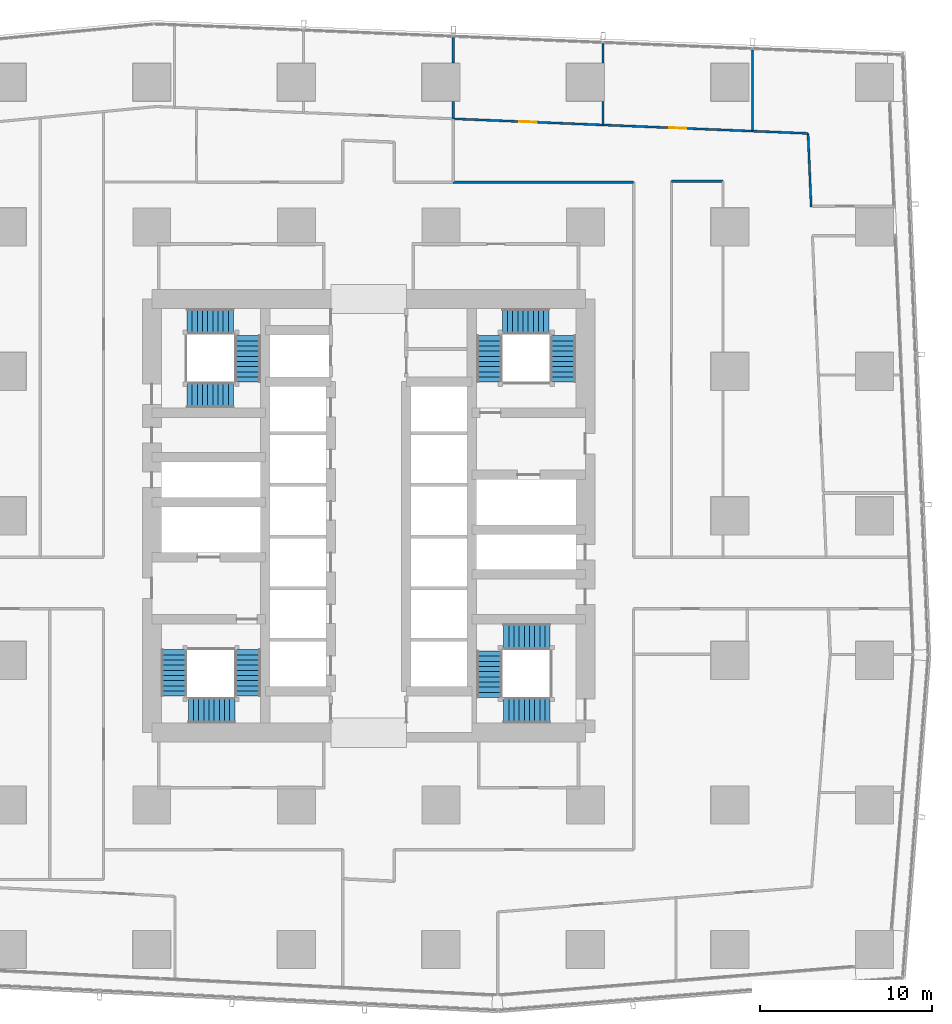
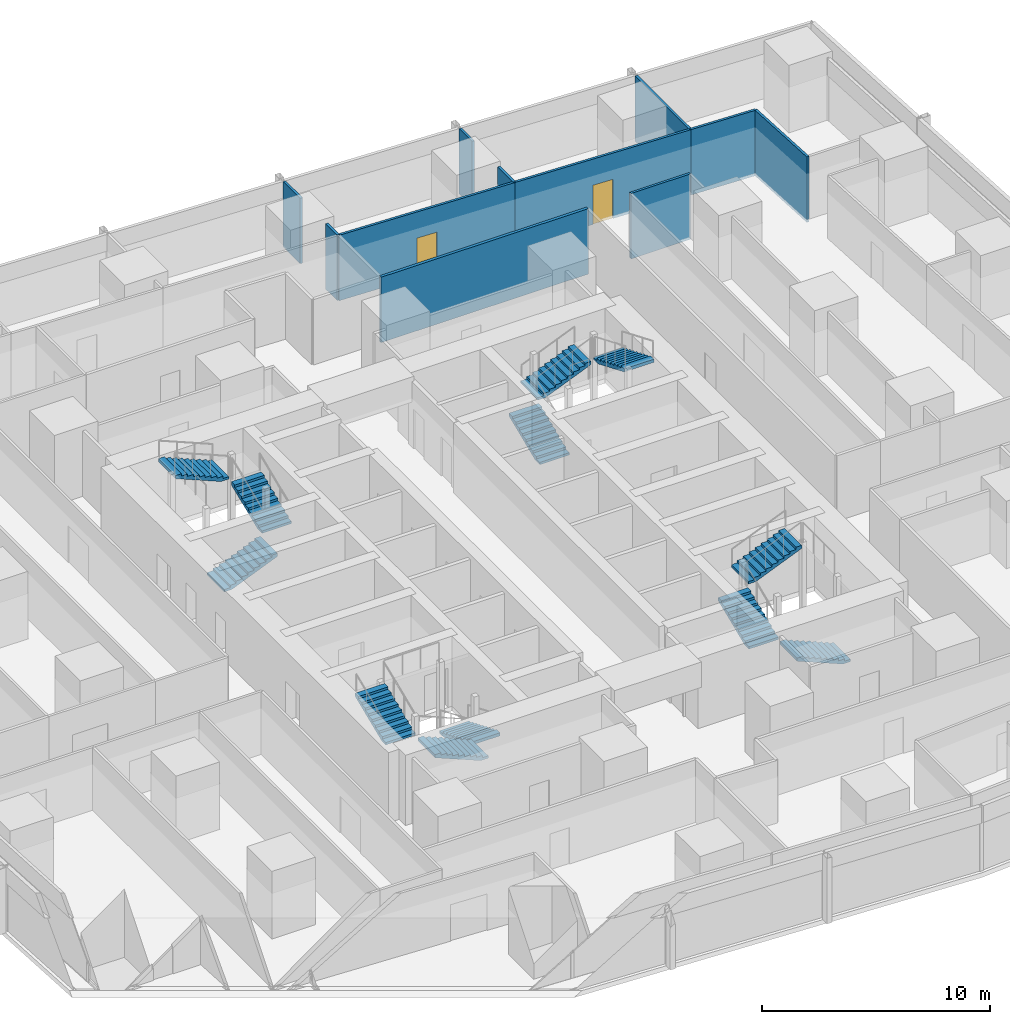
# One storey, part 35 of 44: 12 stair flights, 11 walls, 2 doors, 2 openings, 4 elements without a shape of their own.
"""IFC4 building model written with IfcOpenShell, lengths in metres."""

import ifcopenshell
import ifcopenshell.guid

model = None  # the IFC model being written
_history = None  # IfcOwnerHistory: only IFC2X3 demands one
_inside = {}  # id of a spatial element -> (the spatial element, [elements in it])
_under = {}  # id of a project, library or spatial element -> (it, [spatial elements below it])
_declared = {}  # id of a project -> (the project, [libraries it declares])
_typed = {}  # id of a type object -> (the type object, [elements of that type])
_made_of = {}  # id of a material, layer set ... -> (it, [elements and type objects made of it])


def new_model(schema):
    """Start an empty IFC model of exactly this schema.

    Asked for "IFC4X3", IfcOpenShell would pick the latest addendum, in which some entities
    have other attributes; the version numbers below select the first issue.
    IFC2X3 requires an IfcOwnerHistory on every rooted entity: one is made here for all.
    """
    global model, _history
    if schema == "IFC4X3":
        model = ifcopenshell.file(schema_version=(4, 3, 0, 0))
    else:
        model = ifcopenshell.file(schema=schema)
    _inside.clear()
    _under.clear()
    _declared.clear()
    _typed.clear()
    _made_of.clear()
    _history = None
    if model.schema == "IFC2X3":
        org = make("IfcOrganization", Name="unknown")
        user = make(
            "IfcPersonAndOrganization",
            ThePerson=make("IfcPerson", FamilyName="unknown"),
            TheOrganization=org,
        )
        app = make(
            "IfcApplication",
            ApplicationDeveloper=org,
            Version="unknown",
            ApplicationFullName="unknown",
            ApplicationIdentifier="unknown",
        )
        _history = make(
            "IfcOwnerHistory",
            OwningUser=user,
            OwningApplication=app,
            ChangeAction="ADDED",
            CreationDate=0,
        )
    return model


def make(cls, **values):
    """One entity of the class cls with the attributes given. An attribute that is None is left unset."""
    return model.create_entity(
        cls, **{name: value for name, value in values.items() if value is not None}
    )


def rooted(cls, **values):
    """An entity with a GlobalId (a new one), such as an element, a storey or a relation."""
    return make(cls, GlobalId=ifcopenshell.guid.new(), OwnerHistory=_history, **values)


def si_unit(unit_type, name, prefix=None):
    """IfcSIUnit, for example si_unit("LENGTHUNIT", "METRE", prefix="MILLI")."""
    return make("IfcSIUnit", UnitType=unit_type, Prefix=prefix, Name=name)


def assignment(units):
    """IfcUnitAssignment: the units of a project."""
    return None if units is None else make("IfcUnitAssignment", Units=units)


def point(xyz):
    """IfcCartesianPoint."""
    return None if xyz is None else make("IfcCartesianPoint", Coordinates=xyz)


def direction(xyz):
    """IfcDirection."""
    return None if xyz is None else make("IfcDirection", DirectionRatios=xyz)


def frame(location, z_axis=None, x_axis=None):
    """IfcAxis2Placement3D, a coordinate frame: its origin and axes. An axis left out is left unset."""
    return make(
        "IfcAxis2Placement3D",
        Location=point(location),
        Axis=direction(z_axis),
        RefDirection=direction(x_axis),
    )


def frame_2d(location, x_axis=None):
    """IfcAxis2Placement2D, a coordinate frame in the plane: its origin and x axis."""
    return make(
        "IfcAxis2Placement2D", Location=point(location), RefDirection=direction(x_axis)
    )


def origin():
    """The frame at (0, 0, 0) with its axes left unset."""
    return frame((0.0, 0.0, 0.0))


def place(relative_to, where):
    """IfcLocalPlacement: puts the frame where relative to a parent placement (None: the world)."""
    return make(
        "IfcLocalPlacement", PlacementRelTo=relative_to, RelativePlacement=where
    )


def context(
    kind, dimensions, precision=None, world=None, true_north=None, identifier=None
):
    """IfcGeometricRepresentationContext, for example the 3D "Model" context."""
    return make(
        "IfcGeometricRepresentationContext",
        ContextIdentifier=identifier,
        ContextType=kind,
        CoordinateSpaceDimension=dimensions,
        Precision=precision,
        WorldCoordinateSystem=world,
        TrueNorth=true_north,
    )


def subcontext(parent, identifier, kind, view, scale=None):
    """IfcGeometricRepresentationSubContext, for example "Body" below "Model"."""
    return make(
        "IfcGeometricRepresentationSubContext",
        ContextIdentifier=identifier,
        ContextType=kind,
        ParentContext=parent,
        TargetScale=scale,
        TargetView=view,
    )


def project(units=None, contexts=None):
    """IfcProject with its units and contexts."""
    return rooted(
        "IfcProject",
        Name="project",
        RepresentationContexts=contexts,
        UnitsInContext=assignment(units),
    )


def spatial(cls, under=None, at=None, **own):
    """A site, building, storey or space (cls), placed at a placement, below another one or the project."""
    s = rooted(cls, ObjectPlacement=at, **own)
    if under is not None:
        _under.setdefault(under.id(), (under, []))[1].append(s)
    return s


def polyline(points):
    """IfcPolyline through the points."""
    return make("IfcPolyline", Points=[point(p) for p in points])


def profile(cls, at=None, kind="AREA", **sizes):
    """A parametric profile (cls). Its sizes go by their IFC names, for example OverallWidth=200.0."""
    return make(cls, ProfileType=kind, Position=at, **sizes)


def rectangle(**sizes):
    """IfcRectangleProfileDef."""
    return profile("IfcRectangleProfileDef", **sizes)


def outline(outer, holes=None, kind="AREA"):
    """IfcArbitraryClosedProfileDef: a profile drawn as a closed curve; with holes, ...WithVoids."""
    if holes is None:
        return make("IfcArbitraryClosedProfileDef", ProfileType=kind, OuterCurve=outer)
    return make(
        "IfcArbitraryProfileDefWithVoids",
        ProfileType=kind,
        OuterCurve=outer,
        InnerCurves=holes,
    )


def extrude(swept, where, along, depth):
    """IfcExtrudedAreaSolid: the profile swept, set in the frame where, extruded along a direction by depth."""
    return make(
        "IfcExtrudedAreaSolid",
        SweptArea=swept,
        Position=where,
        ExtrudedDirection=direction(along),
        Depth=depth,
    )


def shape(context_of_items, identifier, shape_type, items):
    """IfcShapeRepresentation: the items that make up one representation, for example the "Body"."""
    return make(
        "IfcShapeRepresentation",
        ContextOfItems=context_of_items,
        RepresentationIdentifier=identifier,
        RepresentationType=shape_type,
        Items=items,
    )


def material(Name=None, Category=None):
    """IfcMaterial."""
    return make("IfcMaterial", Name=Name, Category=Category)


def layer(
    of_material, thickness, ventilated=None, Name=None, Category=None, Priority=None
):
    """IfcMaterialLayer: one layer of a wall or slab, of a material (None: an air gap)."""
    return make(
        "IfcMaterialLayer",
        Material=of_material,
        LayerThickness=thickness,
        IsVentilated=ventilated,
        Name=Name,
        Category=Category,
        Priority=Priority,
    )


def layer_set(layers, Name=None):
    """IfcMaterialLayerSet."""
    return make("IfcMaterialLayerSet", MaterialLayers=layers, LayerSetName=Name)


def made_of(thing, what):
    """Note that an element or type object is made of a material, layer set ...; save() writes the relation."""
    if what is not None:
        _made_of.setdefault(what.id(), (what, []))[1].append(thing)
    return thing


def type_object(cls, material=None, **own):
    """A type object (cls), such as IfcWallType, which elements share."""
    return made_of(rooted(cls, **own), material)


def element(
    cls,
    number,
    at=None,
    inside=None,
    cuts=None,
    type_object=None,
    material=None,
    context=None,
    identifier="Body",
    shape_type=None,
    held_by="IfcProductDefinitionShape",
    body=None,
    shapes=None,
    **own,
):
    """One element of the class cls, such as IfcWall. Its Tag is "e" and its number.

    at: its placement. inside: the storey or other place that contains it. cuts: it is an
    opening in that element (IfcRelVoidsElement). A single representation is given by context,
    identifier, shape_type and body (its items); several are given by shapes. held_by: the class
    of the entity that holds the representations. save() writes the other relations.
    """
    e = rooted(cls, Tag="e%d" % number, ObjectPlacement=at, **own)
    if body is not None:
        shapes = [shape(context, identifier, shape_type, body)]
    if shapes is not None:
        e.Representation = make(held_by, Representations=shapes)
    if inside is not None:
        _inside.setdefault(inside.id(), (inside, []))[1].append(e)
    if cuts is not None:
        rooted(
            "IfcRelVoidsElement", RelatingBuildingElement=cuts, RelatedOpeningElement=e
        )
    if type_object is not None:
        _typed.setdefault(type_object.id(), (type_object, []))[1].append(e)
    return made_of(e, material)


def fill(opening, filler):
    """IfcRelFillsElement: the door or window that sits in an opening."""
    return rooted(
        "IfcRelFillsElement",
        RelatingOpeningElement=opening,
        RelatedBuildingElement=filler,
    )


def aggregate(whole, parts):
    """IfcRelAggregates: a whole, such as a stair, and the parts it consists of."""
    return rooted("IfcRelAggregates", RelatingObject=whole, RelatedObjects=parts)


def save(model, path):
    """Write the relations noted so far, then the file.

    IfcRelAggregates (storeys below a building ...), IfcRelContainedInSpatialStructure (elements
    in a storey), IfcRelDefinesByType, IfcRelAssociatesMaterial and IfcRelDeclares: one each for
    every whole, place, type object, material and project.
    """
    for whole, parts in _under.values():
        aggregate(whole, parts)
    for where, things in _inside.values():
        rooted(
            "IfcRelContainedInSpatialStructure",
            RelatedElements=things,
            RelatingStructure=where,
        )
    for kind, things in _typed.values():
        rooted("IfcRelDefinesByType", RelatedObjects=things, RelatingType=kind)
    for what, things in _made_of.values():
        rooted("IfcRelAssociatesMaterial", RelatedObjects=things, RelatingMaterial=what)
    for by, libraries in _declared.values():
        rooted("IfcRelDeclares", RelatingContext=by, RelatedDefinitions=libraries)
    model.write(path)


model = new_model("IFC4")

# Units and contexts
model_context = context("Model", 3, precision=1e-05, world=origin(), true_north=direction((0.0, 1.0)))
body_context = subcontext(model_context, "Body", "Model", "MODEL_VIEW")
ifc_project = project(units=[si_unit("LENGTHUNIT", "METRE"), si_unit("AREAUNIT", "SQUARE_METRE"), si_unit("VOLUMEUNIT", "CUBIC_METRE"), si_unit("PLANEANGLEUNIT", "RADIAN"), si_unit("MASSUNIT", "GRAM", prefix="KILO")], contexts=[model_context])

# Site, building, storey
site_placement = place(None, origin())
site = spatial("IfcSite", under=ifc_project, at=site_placement, CompositionType="ELEMENT")
building_placement = place(site_placement, origin())
building = spatial("IfcBuilding", under=site, at=building_placement, Name="Rekha Terrace Tower", CompositionType="ELEMENT")
storey_placement = place(building_placement, frame((0.0, 0.0, 47.89990234375)))
storey = spatial("IfcBuildingStorey", under=building, at=storey_placement, Name="L11", CompositionType="ELEMENT", Elevation=47.89990234375)

# Walls
ifc_material_1 = material(Name="Concrete block masonry, 1 hour", Category="masonry")
ifc_layer_1 = layer(ifc_material_1, 0.14990234375)
ifc_layer_set_1 = layer_set([ifc_layer_1], Name="Concrete block masonry, 1 hour")
wall_type_1 = type_object("IfcWallType", Name="WP2 150 tenancy partition", PredefinedType="PARTITIONING", material=ifc_layer_set_1)
wall_1_placement = place(storey_placement, frame((53.199951171875, 53.0, 0.0), z_axis=(0.0, 0.0, 1.0), x_axis=(-1.0, 0.0, 0.0)))
element("IfcWall", 1, at=wall_1_placement, inside=storey, type_object=wall_type_1, Name="Partition L11-O3", PredefinedType="PARTITIONING", context=body_context, shape_type="SweptSolid", body=[
    extrude(rectangle(XDim=10.48095703125, YDim=0.14990234375, at=frame_2d((5.240478515625, 0.0))), origin(), (0.0, 0.0, 1.0), 3.5),
])
ifc_material_2 = material(Name="Two layers of fire-rated gypsum board each side on steel studs, acoustic quilt, 1 hour", Category="steel")
ifc_layer_2 = layer(ifc_material_2, 0.125)
ifc_layer_set_2 = layer_set([ifc_layer_2], Name="Two layers of fire-rated gypsum board each side on steel studs, acoustic quilt, 1 hour")
wall_type_2 = type_object("IfcWallType", Name="WP3 125 office partition", PredefinedType="PARTITIONING", material=ifc_layer_set_2)
wall_2_placement = place(storey_placement, frame((60.112060546875, 55.9619140625, 0.0), z_axis=(0.0, 0.0, 1.0), x_axis=(0.0, 1.0, 0.0)))
element("IfcWall", 2, at=wall_2_placement, inside=storey, type_object=wall_type_2, Name="Partition L11-09", PredefinedType="PARTITIONING", context=body_context, shape_type="SweptSolid", body=[
    extrude(rectangle(XDim=4.72412109375, YDim=0.125, at=frame_2d((2.362060546875, 0.0))), origin(), (0.0, 0.0, 1.0), 3.5),
])
wall_3_placement = place(storey_placement, frame((63.52099609375, 51.556884765625, 0.0), z_axis=(0.0, 0.0, 1.0), x_axis=(-0.042535330456, 0.999094963286, 0.0)))
element("IfcWall", 3, at=wall_3_placement, inside=storey, type_object=wall_type_2, Name="Partition L11-09", PredefinedType="PARTITIONING", context=body_context, shape_type="SweptSolid", body=[
    extrude(rectangle(XDim=4.276123046875, YDim=0.125, at=frame_2d((2.13818359375, 0.0))), origin(), (0.0, 0.0, 1.0), 3.5),
])
wall_4_placement = place(storey_placement, frame((63.339111328125, 55.8291015625, 0.0), z_axis=(0.0, 0.0, 1.0), x_axis=(-0.999154166221, 0.04112118826, 0.0)))
element("IfcWall", 4, at=wall_4_placement, inside=storey, type_object=wall_type_2, Name="Partition L11-09", PredefinedType="PARTITIONING", context=body_context, shape_type="SweptSolid", body=[
    extrude(rectangle(XDim=3.229736328125, YDim=0.125, at=frame_2d((1.61474609375, 0.0))), origin(), (0.0, 0.0, 1.0), 3.5),
])

# Wall, opening, door
wall_5_placement = place(storey_placement, frame((60.111083984375, 55.9619140625, 0.0), z_axis=(0.0, 0.0, 1.0), x_axis=(-0.999152748928, 0.041155610913, 0.0)))
wall_5 = element("IfcWall", 5, at=wall_5_placement, inside=storey, type_object=wall_type_2, Name="Partition L11-10", PredefinedType="PARTITIONING", context=body_context, shape_type="SweptSolid", body=[
    extrude(rectangle(XDim=8.702392578125, YDim=0.125, at=frame_2d((4.35107421875, 0.0))), origin(), (0.0, 0.0, 1.0), 3.5),
])
opening_1_placement = place(wall_5_placement, frame((3.85107421875, 0.0, 0.0)))
opening_1 = element("IfcOpeningElement", 6, at=opening_1_placement, cuts=wall_5, Name="Opening D9", PredefinedType="OPENING", context=body_context, shape_type="SweptSolid", body=[
    extrude(rectangle(XDim=1.0, YDim=2.10009765625, at=frame_2d((0.5, 1.050048828125))), frame((0.0, 0.072509765625, 0.0), z_axis=(0.0, -1.0, 0.0), x_axis=(1.0, 0.0, 0.0)), (0.0, 0.0, 1.0), 0.14501953125),
])
ifc_material_3 = material(Name="Timber fire door", Category="wood")
door_type = type_object("IfcDoorType", Name="D9 1000x2100 office door", OperationType="SINGLE_SWING_LEFT", PredefinedType="DOOR", material=ifc_material_3)
door_1_placement = place(opening_1_placement, origin())
door_1 = element("IfcDoor", 7, at=door_1_placement, inside=storey, type_object=door_type, Name="Door office L11", OperationType="SINGLE_SWING_LEFT", OverallHeight=2.10009765625, OverallWidth=1.0, PredefinedType="DOOR", context=body_context, shape_type="SweptSolid", body=[
    extrude(rectangle(XDim=1.0, YDim=2.10009765625, at=frame_2d((0.5, 1.050048828125))), frame((0.0, 0.02490234375, 0.0), z_axis=(0.0, -1.0, 0.0), x_axis=(1.0, 0.0, 0.0)), (0.0, 0.0, 1.0), 0.050048828125),
])
fill(opening_1, door_1)

# Walls
wall_6_placement = place(storey_placement, frame((51.416015625, 56.320068359375, 0.0), z_axis=(0.0, 0.0, 1.0), x_axis=(0.0, 1.0, 0.0)))
element("IfcWall", 8, at=wall_6_placement, inside=storey, type_object=wall_type_2, Name="Partition L11-10", PredefinedType="PARTITIONING", context=body_context, shape_type="SweptSolid", body=[
    extrude(rectangle(XDim=1.35986328125, YDim=0.125, at=frame_2d((0.679931640625, 0.0))), origin(), (0.0, 0.0, 1.0), 3.5),
])
wall_7_placement = place(storey_placement, frame((51.416015625, 59.919921875, 0.0), z_axis=(0.0, 0.0, 1.0), x_axis=(0.0, 1.0, 0.0)))
element("IfcWall", 9, at=wall_7_placement, inside=storey, type_object=wall_type_2, Name="Partition L11-10", PredefinedType="PARTITIONING", context=body_context, shape_type="SweptSolid", body=[
    extrude(rectangle(XDim=1.1240234375, YDim=0.125, at=frame_2d((0.56201171875, 0.0))), origin(), (0.0, 0.0, 1.0), 3.5),
])

# Wall, opening, door
wall_8_placement = place(storey_placement, frame((51.4150390625, 56.320068359375, 0.0), z_axis=(0.0, 0.0, 1.0), x_axis=(-0.999149475386, 0.041235007407, 0.0)))
wall_8 = element("IfcWall", 10, at=wall_8_placement, inside=storey, type_object=wall_type_2, Name="Partition L11-11", PredefinedType="PARTITIONING", context=body_context, shape_type="SweptSolid", body=[
    extrude(rectangle(XDim=8.703369140625, YDim=0.125, at=frame_2d((4.3515625, 0.0))), origin(), (0.0, 0.0, 1.0), 3.5),
])
opening_2_placement = place(wall_8_placement, frame((3.85205078125, 0.0, 0.0)))
opening_2 = element("IfcOpeningElement", 11, at=opening_2_placement, cuts=wall_8, Name="Opening D9", PredefinedType="OPENING", context=body_context, shape_type="SweptSolid", body=[
    extrude(rectangle(XDim=1.0, YDim=2.10009765625, at=frame_2d((0.5, 1.050048828125))), frame((0.0, 0.072509765625, 0.0), z_axis=(0.0, -1.0, 0.0), x_axis=(1.0, 0.0, 0.0)), (0.0, 0.0, 1.0), 0.14501953125),
])
door_2_placement = place(opening_2_placement, origin())
door_2 = element("IfcDoor", 12, at=door_2_placement, inside=storey, type_object=door_type, Name="Door office L11", OperationType="SINGLE_SWING_LEFT", OverallHeight=2.10009765625, OverallWidth=1.0, PredefinedType="DOOR", context=body_context, shape_type="SweptSolid", body=[
    extrude(rectangle(XDim=1.0, YDim=2.10009765625, at=frame_2d((0.5, 1.050048828125))), frame((0.0, 0.02490234375, 0.0), z_axis=(0.0, -1.0, 0.0), x_axis=(1.0, 0.0, 0.0)), (0.0, 0.0, 1.0), 0.050048828125),
])
fill(opening_2, door_2)

# Walls
wall_9_placement = place(storey_placement, frame((42.718994140625, 56.678955078125, 0.0), z_axis=(0.0, 0.0, 1.0), x_axis=(0.0, 1.0, 0.0)))
element("IfcWall", 13, at=wall_9_placement, inside=storey, type_object=wall_type_2, Name="Partition L11-11", PredefinedType="PARTITIONING", context=body_context, shape_type="SweptSolid", body=[
    extrude(rectangle(XDim=1.0009765625, YDim=0.125, at=frame_2d((0.50048828125, 0.0))), origin(), (0.0, 0.0, 1.0), 3.5),
])
wall_10_placement = place(storey_placement, frame((42.718994140625, 59.919921875, 0.0), z_axis=(0.0, 0.0, 1.0), x_axis=(0.0, 1.0, 0.0)))
element("IfcWall", 14, at=wall_10_placement, inside=storey, type_object=wall_type_2, Name="Partition L11-11", PredefinedType="PARTITIONING", context=body_context, shape_type="SweptSolid", body=[
    extrude(rectangle(XDim=1.483154296875, YDim=0.125, at=frame_2d((0.74169921875, 0.0))), origin(), (0.0, 0.0, 1.0), 3.5),
])
wall_11_placement = place(storey_placement, frame((55.39990234375, 53.050048828125, 0.0), z_axis=(0.0, 0.0, 1.0), x_axis=(1.0, 0.0, 0.0)))
element("IfcWall", 15, at=wall_11_placement, inside=storey, type_object=wall_type_2, Name="Partition L11-12", PredefinedType="PARTITIONING", context=body_context, shape_type="SweptSolid", body=[
    extrude(rectangle(XDim=3.0, YDim=0.125, at=frame_2d((1.5, 0.0))), origin(), (0.0, 0.0, 1.0), 3.5),
])

# Stair, stair flights
ifc_material_4 = material(Name="Concrete M40", Category="concrete")
stair_type = type_object("IfcStairType", Name="ST30 stair, 30 risers of 125, going 300, 1500 wide flights, 3 flights", PredefinedType="HALF_TURN_STAIR", material=ifc_material_4)
stair_1_placement = place(storey_placement, origin())
stair_1 = element("IfcStair", 16, at=stair_1_placement, inside=storey, type_object=stair_type, Name="Stair ST1 L11 to L12", PredefinedType="HALF_TURN_STAIR")
stair_flight_type = type_object("IfcStairFlightType", Name="SF10 stair flight, 10 risers of 125, going 300, 1500 wide", PredefinedType="STRAIGHT", material=ifc_material_4)
stair_flight_1_placement = place(storey_placement, frame((30.77490234375, 25.824951171875, 0.0), z_axis=(0.0, 0.0, 1.0), x_axis=(0.0, -1.0, 0.0)))
stair_flight_1 = element("IfcStairFlight", 17, at=stair_flight_1_placement, type_object=stair_flight_type, Name="ST1 flight 1", NumberOfRisers=10, NumberOfTreads=9, PredefinedType="STRAIGHT", RiserHeight=0.125, TreadLength=0.3, context=body_context, shape_type="SweptSolid", body=[
    extrude(outline(polyline([(0.0, 0.0), (0.0, 0.125), (0.300048828125, 0.125), (0.300048828125, 0.25), (0.60009765625, 0.25), (0.60009765625, 0.375), (0.89990234375, 0.375), (0.89990234375, 0.5), (1.199951171875, 0.5), (1.199951171875, 0.625), (1.5, 0.625), (1.5, 0.75), (1.800048828125, 0.75), (1.800048828125, 0.875), (2.10009765625, 0.875), (2.10009765625, 1.0), (2.39990234375, 1.0), (2.39990234375, 1.125), (2.699951171875, 1.125), (2.699951171875, 1.25), (2.699951171875, 0.962646484375), (0.3896484375, 0.0), (0.0, 0.0)])), frame((0.0, 0.75, 0.0), z_axis=(0.0, -1.0, 0.0), x_axis=(1.0, 0.0, 0.0)), (0.0, 0.0, 1.0), 1.5),
])
stair_flight_2_placement = place(storey_placement, frame((30.02490234375, 22.300048828125, 1.25), z_axis=(0.0, 0.0, 1.0), x_axis=(-1.0, 0.0, 0.0)))
stair_flight_2 = element("IfcStairFlight", 18, at=stair_flight_2_placement, type_object=stair_flight_type, Name="ST1 flight 2", NumberOfRisers=10, NumberOfTreads=9, PredefinedType="STRAIGHT", RiserHeight=0.125, TreadLength=0.3, context=body_context, shape_type="SweptSolid", body=[
    extrude(outline(polyline([(0.0, 0.0), (0.0, 0.125), (0.300048828125, 0.125), (0.300048828125, 0.25), (0.60009765625, 0.25), (0.60009765625, 0.375), (0.89990234375, 0.375), (0.89990234375, 0.5), (1.199951171875, 0.5), (1.199951171875, 0.625), (1.5, 0.625), (1.5, 0.75), (1.800048828125, 0.75), (1.800048828125, 0.875), (2.10009765625, 0.875), (2.10009765625, 1.0), (2.39990234375, 1.0), (2.39990234375, 1.125), (2.699951171875, 1.125), (2.699951171875, 1.25), (2.699951171875, 0.962646484375), (0.3896484375, 0.0), (0.0, 0.0)])), frame((0.0, 0.75, 0.0), z_axis=(0.0, -1.0, 0.0), x_axis=(1.0, 0.0, 0.0)), (0.0, 0.0, 1.0), 1.5),
])
stair_flight_3_placement = place(storey_placement, frame((26.5, 23.125, 2.5), z_axis=(0.0, 0.0, 1.0), x_axis=(0.0, 1.0, 0.0)))
stair_flight_3 = element("IfcStairFlight", 19, at=stair_flight_3_placement, type_object=stair_flight_type, Name="ST1 flight 3", NumberOfRisers=10, NumberOfTreads=9, PredefinedType="STRAIGHT", RiserHeight=0.125, TreadLength=0.3, context=body_context, shape_type="SweptSolid", body=[
    extrude(outline(polyline([(0.0, 0.0), (0.0, 0.125), (0.300048828125, 0.125), (0.300048828125, 0.25), (0.60009765625, 0.25), (0.60009765625, 0.375), (0.89990234375, 0.375), (0.89990234375, 0.5), (1.199951171875, 0.5), (1.199951171875, 0.625), (1.5, 0.625), (1.5, 0.75), (1.800048828125, 0.75), (1.800048828125, 0.875), (2.10009765625, 0.875), (2.10009765625, 1.0), (2.39990234375, 1.0), (2.39990234375, 1.125), (2.699951171875, 1.125), (2.699951171875, 1.25), (2.699951171875, 0.962646484375), (0.3896484375, 0.0), (0.0, 0.0)])), frame((0.0, 0.75, 0.0), z_axis=(0.0, -1.0, 0.0), x_axis=(1.0, 0.0, 0.0)), (0.0, 0.0, 1.0), 1.5),
])
aggregate(stair_1, [stair_flight_1, stair_flight_2, stair_flight_3])

stair_2_placement = place(storey_placement, origin())
stair_2 = element("IfcStair", 20, at=stair_2_placement, inside=storey, type_object=stair_type, Name="Stair ST2 L11 to L12", PredefinedType="HALF_TURN_STAIR")
stair_flight_4_placement = place(storey_placement, frame((44.824951171875, 41.375, 0.0), z_axis=(0.0, 0.0, 1.0), x_axis=(0.0, 1.0, 0.0)))
stair_flight_4 = element("IfcStairFlight", 21, at=stair_flight_4_placement, type_object=stair_flight_type, Name="ST2 flight 1", NumberOfRisers=10, NumberOfTreads=9, PredefinedType="STRAIGHT", RiserHeight=0.125, TreadLength=0.3, context=body_context, shape_type="SweptSolid", body=[
    extrude(outline(polyline([(0.0, 0.0), (0.0, 0.125), (0.300048828125, 0.125), (0.300048828125, 0.25), (0.60009765625, 0.25), (0.60009765625, 0.375), (0.89990234375, 0.375), (0.89990234375, 0.5), (1.199951171875, 0.5), (1.199951171875, 0.625), (1.5, 0.625), (1.5, 0.75), (1.800048828125, 0.75), (1.800048828125, 0.875), (2.10009765625, 0.875), (2.10009765625, 1.0), (2.39990234375, 1.0), (2.39990234375, 1.125), (2.699951171875, 1.125), (2.699951171875, 1.25), (2.699951171875, 0.962646484375), (0.3896484375, 0.0), (0.0, 0.0)])), frame((0.0, 0.75, 0.0), z_axis=(0.0, -1.0, 0.0), x_axis=(1.0, 0.0, 0.0)), (0.0, 0.0, 1.0), 1.5),
])
stair_flight_5_placement = place(storey_placement, frame((45.574951171875, 44.89990234375, 1.25), z_axis=(0.0, 0.0, 1.0), x_axis=(1.0, 0.0, 0.0)))
stair_flight_5 = element("IfcStairFlight", 22, at=stair_flight_5_placement, type_object=stair_flight_type, Name="ST2 flight 2", NumberOfRisers=10, NumberOfTreads=9, PredefinedType="STRAIGHT", RiserHeight=0.125, TreadLength=0.3, context=body_context, shape_type="SweptSolid", body=[
    extrude(outline(polyline([(0.0, 0.0), (0.0, 0.125), (0.300048828125, 0.125), (0.300048828125, 0.25), (0.60009765625, 0.25), (0.60009765625, 0.375), (0.89990234375, 0.375), (0.89990234375, 0.5), (1.199951171875, 0.5), (1.199951171875, 0.625), (1.5, 0.625), (1.5, 0.75), (1.800048828125, 0.75), (1.800048828125, 0.875), (2.10009765625, 0.875), (2.10009765625, 1.0), (2.39990234375, 1.0), (2.39990234375, 1.125), (2.699951171875, 1.125), (2.699951171875, 1.25), (2.699951171875, 0.962646484375), (0.3896484375, 0.0), (0.0, 0.0)])), frame((0.0, 0.75, 0.0), z_axis=(0.0, -1.0, 0.0), x_axis=(1.0, 0.0, 0.0)), (0.0, 0.0, 1.0), 1.5),
])
stair_flight_6_placement = place(storey_placement, frame((49.10009765625, 44.074951171875, 2.5), z_axis=(0.0, 0.0, 1.0), x_axis=(0.0, -1.0, 0.0)))
stair_flight_6 = element("IfcStairFlight", 23, at=stair_flight_6_placement, type_object=stair_flight_type, Name="ST2 flight 3", NumberOfRisers=10, NumberOfTreads=9, PredefinedType="STRAIGHT", RiserHeight=0.125, TreadLength=0.3, context=body_context, shape_type="SweptSolid", body=[
    extrude(outline(polyline([(0.0, 0.0), (0.0, 0.125), (0.300048828125, 0.125), (0.300048828125, 0.25), (0.60009765625, 0.25), (0.60009765625, 0.375), (0.89990234375, 0.375), (0.89990234375, 0.5), (1.199951171875, 0.5), (1.199951171875, 0.625), (1.5, 0.625), (1.5, 0.75), (1.800048828125, 0.75), (1.800048828125, 0.875), (2.10009765625, 0.875), (2.10009765625, 1.0), (2.39990234375, 1.0), (2.39990234375, 1.125), (2.699951171875, 1.125), (2.699951171875, 1.25), (2.699951171875, 0.962646484375), (0.3896484375, 0.0), (0.0, 0.0)])), frame((0.0, 0.75, 0.0), z_axis=(0.0, -1.0, 0.0), x_axis=(1.0, 0.0, 0.0)), (0.0, 0.0, 1.0), 1.5),
])
aggregate(stair_2, [stair_flight_4, stair_flight_5, stair_flight_6])

stair_3_placement = place(storey_placement, origin())
stair_3 = element("IfcStair", 24, at=stair_3_placement, inside=storey, type_object=stair_type, Name="Stair ST3 L11 to L12", PredefinedType="HALF_TURN_STAIR")
stair_flight_7_placement = place(storey_placement, frame((48.35009765625, 22.300048828125, 0.0), z_axis=(0.0, 0.0, 1.0), x_axis=(-1.0, 0.0, 0.0)))
stair_flight_7 = element("IfcStairFlight", 25, at=stair_flight_7_placement, type_object=stair_flight_type, Name="ST3 flight 1", NumberOfRisers=10, NumberOfTreads=9, PredefinedType="STRAIGHT", RiserHeight=0.125, TreadLength=0.3, context=body_context, shape_type="SweptSolid", body=[
    extrude(outline(polyline([(0.0, 0.0), (0.0, 0.125), (0.300048828125, 0.125), (0.300048828125, 0.25), (0.60009765625, 0.25), (0.60009765625, 0.375), (0.89990234375, 0.375), (0.89990234375, 0.5), (1.199951171875, 0.5), (1.199951171875, 0.625), (1.5, 0.625), (1.5, 0.75), (1.800048828125, 0.75), (1.800048828125, 0.875), (2.10009765625, 0.875), (2.10009765625, 1.0), (2.39990234375, 1.0), (2.39990234375, 1.125), (2.699951171875, 1.125), (2.699951171875, 1.25), (2.699951171875, 0.962646484375), (0.3896484375, 0.0), (0.0, 0.0)])), frame((0.0, 0.75, 0.0), z_axis=(0.0, -1.0, 0.0), x_axis=(1.0, 0.0, 0.0)), (0.0, 0.0, 1.0), 1.5),
])
stair_flight_8_placement = place(storey_placement, frame((44.824951171875, 23.050048828125, 1.25), z_axis=(0.0, 0.0, 1.0), x_axis=(0.0, 1.0, 0.0)))
stair_flight_8 = element("IfcStairFlight", 26, at=stair_flight_8_placement, type_object=stair_flight_type, Name="ST3 flight 2", NumberOfRisers=10, NumberOfTreads=9, PredefinedType="STRAIGHT", RiserHeight=0.125, TreadLength=0.3, context=body_context, shape_type="SweptSolid", body=[
    extrude(outline(polyline([(0.0, 0.0), (0.0, 0.125), (0.300048828125, 0.125), (0.300048828125, 0.25), (0.60009765625, 0.25), (0.60009765625, 0.375), (0.89990234375, 0.375), (0.89990234375, 0.5), (1.199951171875, 0.5), (1.199951171875, 0.625), (1.5, 0.625), (1.5, 0.75), (1.800048828125, 0.75), (1.800048828125, 0.875), (2.10009765625, 0.875), (2.10009765625, 1.0), (2.39990234375, 1.0), (2.39990234375, 1.125), (2.699951171875, 1.125), (2.699951171875, 1.25), (2.699951171875, 0.962646484375), (0.3896484375, 0.0), (0.0, 0.0)])), frame((0.0, 0.75, 0.0), z_axis=(0.0, -1.0, 0.0), x_axis=(1.0, 0.0, 0.0)), (0.0, 0.0, 1.0), 1.5),
])
stair_flight_9_placement = place(storey_placement, frame((45.64990234375, 26.574951171875, 2.5), z_axis=(0.0, 0.0, 1.0), x_axis=(1.0, 0.0, 0.0)))
stair_flight_9 = element("IfcStairFlight", 27, at=stair_flight_9_placement, type_object=stair_flight_type, Name="ST3 flight 3", NumberOfRisers=10, NumberOfTreads=9, PredefinedType="STRAIGHT", RiserHeight=0.125, TreadLength=0.3, context=body_context, shape_type="SweptSolid", body=[
    extrude(outline(polyline([(0.0, 0.0), (0.0, 0.125), (0.300048828125, 0.125), (0.300048828125, 0.25), (0.60009765625, 0.25), (0.60009765625, 0.375), (0.89990234375, 0.375), (0.89990234375, 0.5), (1.199951171875, 0.5), (1.199951171875, 0.625), (1.5, 0.625), (1.5, 0.75), (1.800048828125, 0.75), (1.800048828125, 0.875), (2.10009765625, 0.875), (2.10009765625, 1.0), (2.39990234375, 1.0), (2.39990234375, 1.125), (2.699951171875, 1.125), (2.699951171875, 1.25), (2.699951171875, 0.962646484375), (0.3896484375, 0.0), (0.0, 0.0)])), frame((0.0, 0.75, 0.0), z_axis=(0.0, -1.0, 0.0), x_axis=(1.0, 0.0, 0.0)), (0.0, 0.0, 1.0), 1.5),
])
aggregate(stair_3, [stair_flight_7, stair_flight_8, stair_flight_9])

stair_4_placement = place(storey_placement, origin())
stair_4 = element("IfcStair", 28, at=stair_4_placement, inside=storey, type_object=stair_type, Name="Stair ST4 L11 to L12", PredefinedType="HALF_TURN_STAIR")
stair_flight_10_placement = place(storey_placement, frame((27.25, 40.625, 0.0), z_axis=(0.0, 0.0, 1.0), x_axis=(1.0, 0.0, 0.0)))
stair_flight_10 = element("IfcStairFlight", 29, at=stair_flight_10_placement, type_object=stair_flight_type, Name="ST4 flight 1", NumberOfRisers=10, NumberOfTreads=9, PredefinedType="STRAIGHT", RiserHeight=0.125, TreadLength=0.3, context=body_context, shape_type="SweptSolid", body=[
    extrude(outline(polyline([(0.0, 0.0), (0.0, 0.125), (0.300048828125, 0.125), (0.300048828125, 0.25), (0.60009765625, 0.25), (0.60009765625, 0.375), (0.89990234375, 0.375), (0.89990234375, 0.5), (1.199951171875, 0.5), (1.199951171875, 0.625), (1.5, 0.625), (1.5, 0.75), (1.800048828125, 0.75), (1.800048828125, 0.875), (2.10009765625, 0.875), (2.10009765625, 1.0), (2.39990234375, 1.0), (2.39990234375, 1.125), (2.699951171875, 1.125), (2.699951171875, 1.25), (2.699951171875, 0.962646484375), (0.3896484375, 0.0), (0.0, 0.0)])), frame((0.0, 0.75, 0.0), z_axis=(0.0, -1.0, 0.0), x_axis=(1.0, 0.0, 0.0)), (0.0, 0.0, 1.0), 1.5),
])
stair_flight_11_placement = place(storey_placement, frame((30.77490234375, 41.375, 1.25), z_axis=(0.0, 0.0, 1.0), x_axis=(0.0, 1.0, 0.0)))
stair_flight_11 = element("IfcStairFlight", 30, at=stair_flight_11_placement, type_object=stair_flight_type, Name="ST4 flight 2", NumberOfRisers=10, NumberOfTreads=9, PredefinedType="STRAIGHT", RiserHeight=0.125, TreadLength=0.3, context=body_context, shape_type="SweptSolid", body=[
    extrude(outline(polyline([(0.0, 0.0), (0.0, 0.125), (0.300048828125, 0.125), (0.300048828125, 0.25), (0.60009765625, 0.25), (0.60009765625, 0.375), (0.89990234375, 0.375), (0.89990234375, 0.5), (1.199951171875, 0.5), (1.199951171875, 0.625), (1.5, 0.625), (1.5, 0.75), (1.800048828125, 0.75), (1.800048828125, 0.875), (2.10009765625, 0.875), (2.10009765625, 1.0), (2.39990234375, 1.0), (2.39990234375, 1.125), (2.699951171875, 1.125), (2.699951171875, 1.25), (2.699951171875, 0.962646484375), (0.3896484375, 0.0), (0.0, 0.0)])), frame((0.0, 0.75, 0.0), z_axis=(0.0, -1.0, 0.0), x_axis=(1.0, 0.0, 0.0)), (0.0, 0.0, 1.0), 1.5),
])
stair_flight_12_placement = place(storey_placement, frame((29.949951171875, 44.89990234375, 2.5), z_axis=(0.0, 0.0, 1.0), x_axis=(-1.0, 0.0, 0.0)))
stair_flight_12 = element("IfcStairFlight", 31, at=stair_flight_12_placement, type_object=stair_flight_type, Name="ST4 flight 3", NumberOfRisers=10, NumberOfTreads=9, PredefinedType="STRAIGHT", RiserHeight=0.125, TreadLength=0.3, context=body_context, shape_type="SweptSolid", body=[
    extrude(outline(polyline([(0.0, 0.0), (0.0, 0.125), (0.300048828125, 0.125), (0.300048828125, 0.25), (0.60009765625, 0.25), (0.60009765625, 0.375), (0.89990234375, 0.375), (0.89990234375, 0.5), (1.199951171875, 0.5), (1.199951171875, 0.625), (1.5, 0.625), (1.5, 0.75), (1.800048828125, 0.75), (1.800048828125, 0.875), (2.10009765625, 0.875), (2.10009765625, 1.0), (2.39990234375, 1.0), (2.39990234375, 1.125), (2.699951171875, 1.125), (2.699951171875, 1.25), (2.699951171875, 0.962646484375), (0.3896484375, 0.0), (0.0, 0.0)])), frame((0.0, 0.75, 0.0), z_axis=(0.0, -1.0, 0.0), x_axis=(1.0, 0.0, 0.0)), (0.0, 0.0, 1.0), 1.5),
])
aggregate(stair_4, [stair_flight_10, stair_flight_11, stair_flight_12])

save(model, "model.ifc")
